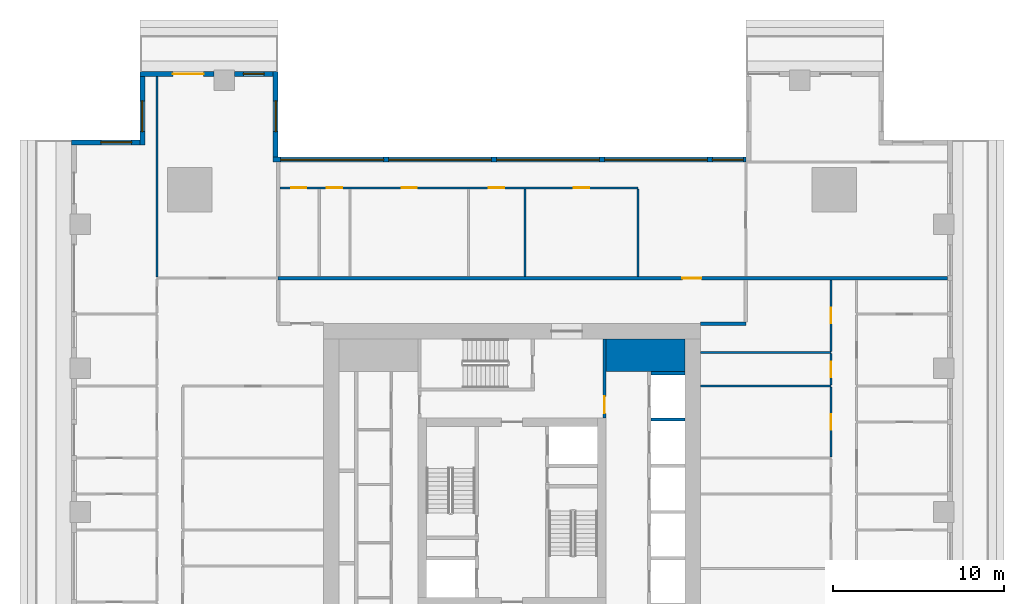
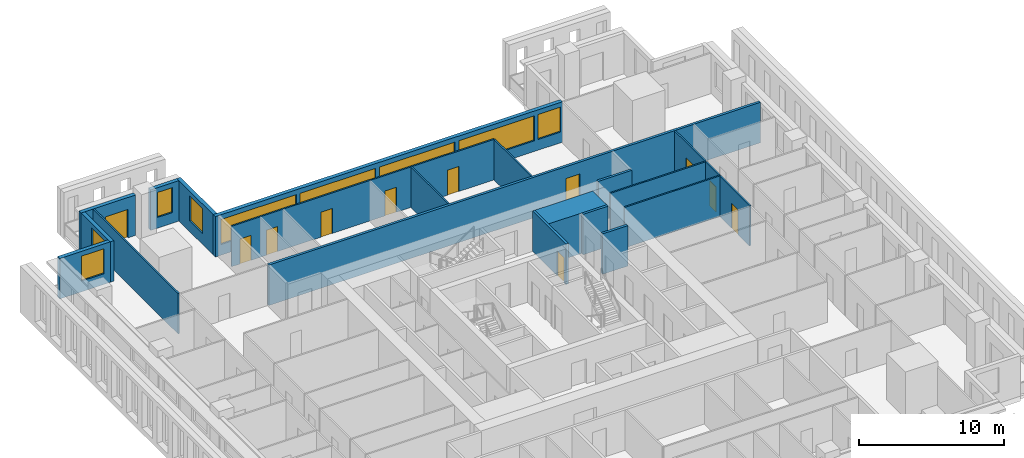
# One storey, part 8 of 16: 21 walls, 11 doors, 9 windows, 20 openings.
"""IFC4 building model written with IfcOpenShell, lengths in metres."""

from ifc_helpers import new_model, si_unit, direction, frame, frame_2d, origin, place, context, subcontext, project, spatial, rectangle, extrude, material, layer, layer_set, type_object, element, fill, save


model = new_model("IFC4")

# Units and contexts
model_context = context("Model", 3, precision=1e-05, world=origin(), true_north=direction((0.0, 1.0)))
body_context = subcontext(model_context, "Body", "Model", "MODEL_VIEW")
ifc_project = project(units=[si_unit("LENGTHUNIT", "METRE"), si_unit("AREAUNIT", "SQUARE_METRE"), si_unit("VOLUMEUNIT", "CUBIC_METRE"), si_unit("PLANEANGLEUNIT", "RADIAN"), si_unit("MASSUNIT", "GRAM", prefix="KILO")], contexts=[model_context])

# Site, building, storey
site_placement = place(None, origin())
site = spatial("IfcSite", under=ifc_project, at=site_placement, CompositionType="ELEMENT")
building_placement = place(site_placement, origin())
building = spatial("IfcBuilding", under=site, at=building_placement, Name="Khepri Terraces", CompositionType="ELEMENT")
storey_placement = place(building_placement, frame((0.0, 0.0, 176.699951171875)))
storey = spatial("IfcBuildingStorey", under=building, at=storey_placement, Name="L42", CompositionType="ELEMENT", Elevation=176.699951171875)

# Walls
ifc_material_1 = material(Name="Concrete C60/75", Category="concrete")
ifc_layer_1 = layer(ifc_material_1, 1.89990234375, Name="Concrete C60/75", Category="concrete")
ifc_layer_set_1 = layer_set([ifc_layer_1], Name="Concrete C60/75")
wall_type_1 = type_object("IfcWallType", Name="Core wall 1900 C60/75", PredefinedType="SHEAR", material=ifc_layer_set_1)
wall_1_placement = place(storey_placement, frame((5.5, 9.14990234375, 0.0), z_axis=(0.0, 0.0, 1.0), x_axis=(1.0, 0.0, 0.0)))
element("IfcWall", 1, at=wall_1_placement, inside=storey, type_object=wall_type_1, Name="Core wall PR04 L42", PredefinedType="SHEAR", context=body_context, shape_type="SweptSolid", body=[
    extrude(rectangle(XDim=4.60009765625, YDim=1.89990234375, at=frame_2d((2.300048828125, 0.0))), origin(), (0.0, 0.0, 1.0), 3.400146484375),
])
ifc_layer_2 = layer(ifc_material_1, 0.199951171875, Name="Concrete C60/75", Category="concrete")
ifc_layer_set_2 = layer_set([ifc_layer_2], Name="Concrete C60/75")
wall_type_2 = type_object("IfcWallType", Name="Core wall 200 C60/75", PredefinedType="SHEAR", material=ifc_layer_set_2)
for number, where, z_axis, x_axis, name in (
    (2, (8.10009765625, 5.39990234375, 0.0), (0.0, 0.0, 1.0), (1.0, 0.0, 0.0), "Core wall SH14 L42"),
    (3, (8.10009765625, 8.10009765625, 0.0), (0.0, 0.0, 1.0), (1.0, 0.0, 0.0), "Core wall SH15 L42"),
):
    element("IfcWall", number, at=place(storey_placement, frame(where, z_axis=z_axis, x_axis=x_axis)), inside=storey, type_object=wall_type_2, Name=name, PredefinedType="SHEAR", context=body_context, shape_type="SweptSolid", body=[
        extrude(rectangle(XDim=2.0, YDim=0.199951171875, at=frame_2d((1.0, 0.0))), origin(), (0.0, 0.0, 1.0), 3.400146484375),
    ])

# Wall, opening, door
ifc_material_2 = material(Name="Fire-rated gypsum board partition")
ifc_layer_3 = layer(ifc_material_2, 0.199951171875, Name="Fire-rated gypsum board partition")
ifc_layer_set_3 = layer_set([ifc_layer_3], Name="Fire-rated gypsum board partition")
wall_type_3 = type_object("IfcWallType", Name="WL-CORE-PART-200", PredefinedType="PARTITIONING", material=ifc_layer_set_3)
wall_2_placement = place(storey_placement, frame((5.39990234375, 5.5, 0.0), z_axis=(0.0, 0.0, 1.0), x_axis=(0.0, 1.0, 0.0)))
wall_2 = element("IfcWall", 4, at=wall_2_placement, inside=storey, type_object=wall_type_3, Name="Core partition PT13 L42", PredefinedType="PARTITIONING", context=body_context, shape_type="SweptSolid", body=[
    extrude(rectangle(XDim=4.60009765625, YDim=0.199951171875, at=frame_2d((2.300048828125, 0.0))), origin(), (0.0, 0.0, 1.0), 3.400146484375),
])
opening_1_placement = place(wall_2_placement, frame((0.25, 0.0, 0.0)))
opening_1 = element("IfcOpeningElement", 5, at=opening_1_placement, cuts=wall_2, Name="Opening L42-C17", PredefinedType="OPENING", context=body_context, shape_type="SweptSolid", body=[
    extrude(rectangle(XDim=1.0, YDim=2.10009765625, at=frame_2d((0.5, 1.050048828125))), frame((0.0, 0.10986328125, 0.0), z_axis=(0.0, -1.0, 0.0), x_axis=(1.0, 0.0, 0.0)), (0.0, 0.0, 1.0), 0.219970703125),
])
ifc_material_3 = material(Name="Painted steel", Category="steel")
door_type_1 = type_object("IfcDoorType", Name="DR-CORE-LOBBY-1000", OperationType="NOTDEFINED", PredefinedType="DOOR", material=ifc_material_3)
door_1_placement = place(opening_1_placement, origin())
door_1 = element("IfcDoor", 6, at=door_1_placement, inside=storey, type_object=door_type_1, Name="Lobby door L42-C17", OperationType="SINGLE_SWING_LEFT", OverallHeight=2.10009765625, OverallWidth=1.0, PredefinedType="DOOR", context=body_context, shape_type="SweptSolid", body=[
    extrude(rectangle(XDim=1.0, YDim=2.10009765625, at=frame_2d((0.5, 1.050048828125))), frame((0.0, 0.02490234375, 0.0), z_axis=(0.0, -1.0, 0.0), x_axis=(1.0, 0.0, 0.0)), (0.0, 0.0, 1.0), 0.050048828125),
])
fill(opening_1, door_1)

# Wall
ifc_material_4 = material(Name="Fire-rated gypsum plasterboard partition, mineral wool")
ifc_layer_4 = layer(ifc_material_4, 0.199951171875, Name="Fire-rated gypsum plasterboard partition, mineral wool")
ifc_layer_set_4 = layer_set([ifc_layer_4], Name="Fire-rated gypsum plasterboard partition, mineral wool")
wall_type_4 = type_object("IfcWallType", Name="WL-CORR-200", PredefinedType="PARTITIONING", material=ifc_layer_set_4)
wall_3_placement = place(storey_placement, frame((11.0, 11.0, 0.0), z_axis=(0.0, 0.0, 1.0), x_axis=(1.0, 0.0, 0.0)))
element("IfcWall", 7, at=wall_3_placement, inside=storey, type_object=wall_type_4, Name="Partition P-084 L42", PredefinedType="PARTITIONING", context=body_context, shape_type="SweptSolid", body=[
    extrude(rectangle(XDim=2.64990234375, YDim=0.199951171875, at=frame_2d((1.324951171875, 0.0))), origin(), (0.0, 0.0, 1.0), 3.400146484375),
])

# Wall, opening, door
wall_4_placement = place(storey_placement, frame((-13.64990234375, 13.64990234375, 0.0), z_axis=(0.0, 0.0, 1.0), x_axis=(1.0, 0.0, 0.0)))
wall_4 = element("IfcWall", 8, at=wall_4_placement, inside=storey, type_object=wall_type_4, Name="Partition P-092 L42", PredefinedType="PARTITIONING", context=body_context, shape_type="SweptSolid", body=[
    extrude(rectangle(XDim=39.06982421875, YDim=0.199951171875, at=frame_2d((19.534912109375, 0.0))), origin(), (0.0, 0.0, 1.0), 3.400146484375),
])
opening_2_placement = place(wall_4_placement, frame((23.60009765625, 0.0, 0.0)))
opening_2 = element("IfcOpeningElement", 9, at=opening_2_placement, cuts=wall_4, Name="Opening D1", PredefinedType="OPENING", context=body_context, shape_type="SweptSolid", body=[
    extrude(rectangle(XDim=1.10009765625, YDim=2.39990234375, at=frame_2d((0.550048828125, 1.199951171875))), frame((0.0, 0.10986328125, 0.0), z_axis=(0.0, -1.0, 0.0), x_axis=(1.0, 0.0, 0.0)), (0.0, 0.0, 1.0), 0.219970703125),
])
ifc_material_5 = material(Name="Solid-core timber door leaf, flat entrance door", Category="wood")
door_type_2 = type_object("IfcDoorType", Name="DR-ENT-1100", OperationType="NOTDEFINED", PredefinedType="DOOR", material=ifc_material_5)
door_2_placement = place(opening_2_placement, origin())
door_2 = element("IfcDoor", 10, at=door_2_placement, inside=storey, type_object=door_type_2, Name="Flat C1 entrance door", OperationType="SINGLE_SWING_RIGHT", OverallHeight=2.39990234375, OverallWidth=1.10009765625, PredefinedType="DOOR", context=body_context, shape_type="SweptSolid", body=[
    extrude(rectangle(XDim=1.10009765625, YDim=2.39990234375, at=frame_2d((0.550048828125, 1.199951171875))), frame((0.0, 0.02490234375, 0.0), z_axis=(0.0, -1.0, 0.0), x_axis=(1.0, 0.0, 0.0)), (0.0, 0.0, 1.0), 0.050048828125),
])
fill(opening_2, door_2)

# Wall, openings, windows
ifc_material_6 = material(Name="Precast concrete C50/60 warm stone", Category="masonry")
ifc_layer_5 = layer(ifc_material_6, 0.300048828125, Name="Precast concrete C50/60 warm stone", Category="masonry")
ifc_layer_set_5 = layer_set([ifc_layer_5], Name="Precast concrete C50/60 warm stone")
wall_type_5 = type_object("IfcWallType", Name="WL-EXT-PRECAST-300", PredefinedType="STANDARD", material=ifc_layer_set_5)
wall_5_placement = place(storey_placement, frame((13.64990234375, 20.570068359375, 0.0), z_axis=(0.0, 0.0, 1.0), x_axis=(-1.0, 0.0, 0.0)))
wall_5 = element("IfcWall", 11, at=wall_5_placement, inside=storey, type_object=wall_type_5, Name="External wall L42 N", PredefinedType="STANDARD", context=body_context, shape_type="SweptSolid", body=[
    extrude(rectangle(XDim=27.599853515625, YDim=0.300048828125, at=frame_2d((13.7998046875, 0.0))), origin(), (0.0, 0.0, 1.0), 3.400146484375),
])
opening_3_placement = place(wall_5_placement, frame((0.14990234375, 0.0, 0.89990234375)))
opening_3 = element("IfcOpeningElement", 12, at=opening_3_placement, cuts=wall_5, Name="Opening W1", PredefinedType="OPENING", context=body_context, shape_type="SweptSolid", body=[
    extrude(rectangle(XDim=1.800048828125, YDim=2.10009765625, at=frame_2d((0.89990234375, 1.050048828125))), frame((0.0, 0.16015625, 0.0), z_axis=(0.0, -1.0, 0.0), x_axis=(1.0, 0.0, 0.0)), (0.0, 0.0, 1.0), 0.320068359375),
])
opening_4_placement = place(wall_5_placement, frame((2.25, 0.0, 0.89990234375)))
opening_4 = element("IfcOpeningElement", 13, at=opening_4_placement, cuts=wall_5, Name="Opening W3", PredefinedType="OPENING", context=body_context, shape_type="SweptSolid", body=[
    extrude(rectangle(XDim=6.0, YDim=2.10009765625, at=frame_2d((3.0, 1.050048828125))), frame((0.0, 0.16015625, 0.0), z_axis=(0.0, -1.0, 0.0), x_axis=(1.0, 0.0, 0.0)), (0.0, 0.0, 1.0), 0.320068359375),
])
opening_5_placement = place(wall_5_placement, frame((8.550048828125, 0.0, 0.89990234375)))
opening_5 = element("IfcOpeningElement", 14, at=opening_5_placement, cuts=wall_5, Name="Opening W3", PredefinedType="OPENING", context=body_context, shape_type="SweptSolid", body=[
    extrude(rectangle(XDim=6.0, YDim=2.10009765625, at=frame_2d((3.0, 1.050048828125))), frame((0.0, 0.16015625, 0.0), z_axis=(0.0, -1.0, 0.0), x_axis=(1.0, 0.0, 0.0)), (0.0, 0.0, 1.0), 0.320068359375),
])
opening_6_placement = place(wall_5_placement, frame((14.85009765625, 0.0, 0.89990234375)))
opening_6 = element("IfcOpeningElement", 15, at=opening_6_placement, cuts=wall_5, Name="Opening W3", PredefinedType="OPENING", context=body_context, shape_type="SweptSolid", body=[
    extrude(rectangle(XDim=6.0, YDim=2.10009765625, at=frame_2d((3.0, 1.050048828125))), frame((0.0, 0.16015625, 0.0), z_axis=(0.0, -1.0, 0.0), x_axis=(1.0, 0.0, 0.0)), (0.0, 0.0, 1.0), 0.320068359375),
])
opening_7_placement = place(wall_5_placement, frame((21.14990234375, 0.0, 0.89990234375)))
opening_7 = element("IfcOpeningElement", 16, at=opening_7_placement, cuts=wall_5, Name="Opening W3", PredefinedType="OPENING", context=body_context, shape_type="SweptSolid", body=[
    extrude(rectangle(XDim=6.0, YDim=2.10009765625, at=frame_2d((3.0, 1.050048828125))), frame((0.0, 0.16015625, 0.0), z_axis=(0.0, -1.0, 0.0), x_axis=(1.0, 0.0, 0.0)), (0.0, 0.0, 1.0), 0.320068359375),
])
ifc_material_7 = material(Name="Clear glass", Category="glass")
window_type_1 = type_object("IfcWindowType", Name="WIN-RES-1800x2100", PartitioningType="SINGLE_PANEL", PredefinedType="WINDOW", material=ifc_material_7)
window_1_placement = place(opening_3_placement, origin())
window_1 = element("IfcWindow", 17, at=window_1_placement, inside=storey, type_object=window_type_1, Name="Window L42 N", OverallHeight=2.10009765625, OverallWidth=1.800048828125, PartitioningType="SINGLE_PANEL", PredefinedType="WINDOW", context=body_context, shape_type="SweptSolid", body=[
    extrude(rectangle(XDim=1.800048828125, YDim=2.10009765625, at=frame_2d((0.89990234375, 1.050048828125))), frame((0.0, 0.030029296875, 0.0), z_axis=(0.0, -1.0, 0.0), x_axis=(1.0, 0.0, 0.0)), (0.0, 0.0, 1.0), 0.06005859375),
])
fill(opening_3, window_1)
window_type_2 = type_object("IfcWindowType", Name="WIN-RES-6000x2100", PartitioningType="SINGLE_PANEL", PredefinedType="WINDOW", material=ifc_material_7)
window_2_placement = place(opening_4_placement, origin())
window_2 = element("IfcWindow", 18, at=window_2_placement, inside=storey, type_object=window_type_2, Name="Window L42 N", OverallHeight=2.10009765625, OverallWidth=6.0, PartitioningType="SINGLE_PANEL", PredefinedType="WINDOW", context=body_context, shape_type="SweptSolid", body=[
    extrude(rectangle(XDim=6.0, YDim=2.10009765625, at=frame_2d((3.0, 1.050048828125))), frame((0.0, 0.030029296875, 0.0), z_axis=(0.0, -1.0, 0.0), x_axis=(1.0, 0.0, 0.0)), (0.0, 0.0, 1.0), 0.06005859375),
])
fill(opening_4, window_2)
window_3_placement = place(opening_5_placement, origin())
window_3 = element("IfcWindow", 19, at=window_3_placement, inside=storey, type_object=window_type_2, Name="Window L42 N", OverallHeight=2.10009765625, OverallWidth=6.0, PartitioningType="SINGLE_PANEL", PredefinedType="WINDOW", context=body_context, shape_type="SweptSolid", body=[
    extrude(rectangle(XDim=6.0, YDim=2.10009765625, at=frame_2d((3.0, 1.050048828125))), frame((0.0, 0.030029296875, 0.0), z_axis=(0.0, -1.0, 0.0), x_axis=(1.0, 0.0, 0.0)), (0.0, 0.0, 1.0), 0.06005859375),
])
fill(opening_5, window_3)
window_4_placement = place(opening_6_placement, origin())
window_4 = element("IfcWindow", 20, at=window_4_placement, inside=storey, type_object=window_type_2, Name="Window L42 N", OverallHeight=2.10009765625, OverallWidth=6.0, PartitioningType="SINGLE_PANEL", PredefinedType="WINDOW", context=body_context, shape_type="SweptSolid", body=[
    extrude(rectangle(XDim=6.0, YDim=2.10009765625, at=frame_2d((3.0, 1.050048828125))), frame((0.0, 0.030029296875, 0.0), z_axis=(0.0, -1.0, 0.0), x_axis=(1.0, 0.0, 0.0)), (0.0, 0.0, 1.0), 0.06005859375),
])
fill(opening_6, window_4)
window_5_placement = place(opening_7_placement, origin())
window_5 = element("IfcWindow", 21, at=window_5_placement, inside=storey, type_object=window_type_2, Name="Window L42 N", OverallHeight=2.10009765625, OverallWidth=6.0, PartitioningType="SINGLE_PANEL", PredefinedType="WINDOW", context=body_context, shape_type="SweptSolid", body=[
    extrude(rectangle(XDim=6.0, YDim=2.10009765625, at=frame_2d((3.0, 1.050048828125))), frame((0.0, 0.030029296875, 0.0), z_axis=(0.0, -1.0, 0.0), x_axis=(1.0, 0.0, 0.0)), (0.0, 0.0, 1.0), 0.06005859375),
])
fill(opening_7, window_5)

# Wall, opening, window
wall_6_placement = place(storey_placement, frame((-13.800048828125, 20.719970703125, 0.0), z_axis=(0.0, 0.0, 1.0), x_axis=(0.0, 1.0, 0.0)))
wall_6 = element("IfcWall", 22, at=wall_6_placement, inside=storey, type_object=wall_type_5, Name="External wall L42 E", PredefinedType="STANDARD", context=body_context, shape_type="SweptSolid", body=[
    extrude(rectangle(XDim=5.0, YDim=0.300048828125, at=frame_2d((2.5, 0.0))), origin(), (0.0, 0.0, 1.0), 3.400146484375),
])
opening_8_placement = place(wall_6_placement, frame((1.47998046875, 0.0, 0.89990234375)))
opening_8 = element("IfcOpeningElement", 23, at=opening_8_placement, cuts=wall_6, Name="Opening W1", PredefinedType="OPENING", context=body_context, shape_type="SweptSolid", body=[
    extrude(rectangle(XDim=1.800048828125, YDim=2.10009765625, at=frame_2d((0.89990234375, 1.050048828125))), frame((0.0, 0.16015625, 0.0), z_axis=(0.0, -1.0, 0.0), x_axis=(1.0, 0.0, 0.0)), (0.0, 0.0, 1.0), 0.320068359375),
])
window_6_placement = place(opening_8_placement, origin())
window_6 = element("IfcWindow", 24, at=window_6_placement, inside=storey, type_object=window_type_1, Name="Window L42 E", OverallHeight=2.10009765625, OverallWidth=1.800048828125, PartitioningType="SINGLE_PANEL", PredefinedType="WINDOW", context=body_context, shape_type="SweptSolid", body=[
    extrude(rectangle(XDim=1.800048828125, YDim=2.10009765625, at=frame_2d((0.89990234375, 1.050048828125))), frame((0.0, 0.030029296875, 0.0), z_axis=(0.0, -1.0, 0.0), x_axis=(1.0, 0.0, 0.0)), (0.0, 0.0, 1.0), 0.06005859375),
])
fill(opening_8, window_6)

wall_7_placement = place(storey_placement, frame((-13.949951171875, 25.570068359375, 0.0), z_axis=(0.0, 0.0, 1.0), x_axis=(-1.0, 0.0, 0.0)))
wall_7 = element("IfcWall", 25, at=wall_7_placement, inside=storey, type_object=wall_type_5, Name="External wall L42 N", PredefinedType="STANDARD", context=body_context, shape_type="SweptSolid", body=[
    extrude(rectangle(XDim=2.25, YDim=0.300048828125, at=frame_2d((1.125, 0.0))), origin(), (0.0, 0.0, 1.0), 3.400146484375),
])
opening_9_placement = place(wall_7_placement, frame((0.52490234375, 0.0, 0.89990234375)))
opening_9 = element("IfcOpeningElement", 26, at=opening_9_placement, cuts=wall_7, Name="Opening W4", PredefinedType="OPENING", context=body_context, shape_type="SweptSolid", body=[
    extrude(rectangle(XDim=1.199951171875, YDim=2.10009765625, at=frame_2d((0.60009765625, 1.050048828125))), frame((0.0, 0.16015625, 0.0), z_axis=(0.0, -1.0, 0.0), x_axis=(1.0, 0.0, 0.0)), (0.0, 0.0, 1.0), 0.320068359375),
])
window_type_3 = type_object("IfcWindowType", Name="WIN-RES-1200x2100", PartitioningType="SINGLE_PANEL", PredefinedType="WINDOW", material=ifc_material_7)
window_7_placement = place(opening_9_placement, origin())
window_7 = element("IfcWindow", 27, at=window_7_placement, inside=storey, type_object=window_type_3, Name="Window L42 N", OverallHeight=2.10009765625, OverallWidth=1.199951171875, PartitioningType="SINGLE_PANEL", PredefinedType="WINDOW", context=body_context, shape_type="SweptSolid", body=[
    extrude(rectangle(XDim=1.199951171875, YDim=2.10009765625, at=frame_2d((0.60009765625, 1.050048828125))), frame((0.0, 0.030029296875, 0.0), z_axis=(0.0, -1.0, 0.0), x_axis=(1.0, 0.0, 0.0)), (0.0, 0.0, 1.0), 0.06005859375),
])
fill(opening_9, window_7)

# Wall, opening, door
wall_8_placement = place(storey_placement, frame((-17.39990234375, 25.570068359375, 0.0), z_axis=(0.0, 0.0, 1.0), x_axis=(-1.0, 0.0, 0.0)))
wall_8 = element("IfcWall", 28, at=wall_8_placement, inside=storey, type_object=wall_type_5, Name="External wall L42 N", PredefinedType="STANDARD", context=body_context, shape_type="SweptSolid", body=[
    extrude(rectangle(XDim=4.320068359375, YDim=0.300048828125, at=frame_2d((2.16015625, 0.0))), origin(), (0.0, 0.0, 1.0), 3.400146484375),
])
opening_10_placement = place(wall_8_placement, frame((0.60009765625, 0.0, 0.0)))
opening_10 = element("IfcOpeningElement", 29, at=opening_10_placement, cuts=wall_8, Name="Opening ED-L42-06", PredefinedType="OPENING", context=body_context, shape_type="SweptSolid", body=[
    extrude(rectangle(XDim=1.800048828125, YDim=2.39990234375, at=frame_2d((0.89990234375, 1.199951171875))), frame((0.0, 0.16015625, 0.0), z_axis=(0.0, -1.0, 0.0), x_axis=(1.0, 0.0, 0.0)), (0.0, 0.0, 1.0), 0.320068359375),
])
ifc_material_8 = material(Name="Anodised aluminium bronze glazed door", Category="aluminium")
door_type_3 = type_object("IfcDoorType", Name="DR-BAL-SLIDE-1800x2400", OperationType="NOTDEFINED", PredefinedType="DOOR", material=ifc_material_8)
door_3_placement = place(opening_10_placement, origin())
door_3 = element("IfcDoor", 30, at=door_3_placement, inside=storey, type_object=door_type_3, Name="Balcony door L42 N", OperationType="SLIDING_TO_LEFT", OverallHeight=2.39990234375, OverallWidth=1.800048828125, PredefinedType="DOOR", context=body_context, shape_type="SweptSolid", body=[
    extrude(rectangle(XDim=1.800048828125, YDim=2.39990234375, at=frame_2d((0.89990234375, 1.199951171875))), frame((0.0, 0.02490234375, 0.0), z_axis=(0.0, -1.0, 0.0), x_axis=(1.0, 0.0, 0.0)), (0.0, 0.0, 1.0), 0.050048828125),
])
fill(opening_10, door_3)

# Wall, opening, window
wall_9_placement = place(storey_placement, frame((-21.570068359375, 25.419921875, 0.0), z_axis=(0.0, 0.0, 1.0), x_axis=(0.0, -1.0, 0.0)))
wall_9 = element("IfcWall", 31, at=wall_9_placement, inside=storey, type_object=wall_type_5, Name="External wall L42 W", PredefinedType="STANDARD", context=body_context, shape_type="SweptSolid", body=[
    extrude(rectangle(XDim=4.0, YDim=0.300048828125, at=frame_2d((2.0, 0.0))), origin(), (0.0, 0.0, 1.0), 3.400146484375),
])
opening_11_placement = place(wall_9_placement, frame((1.419921875, 0.0, 0.89990234375)))
opening_11 = element("IfcOpeningElement", 32, at=opening_11_placement, cuts=wall_9, Name="Opening W1", PredefinedType="OPENING", context=body_context, shape_type="SweptSolid", body=[
    extrude(rectangle(XDim=1.800048828125, YDim=2.10009765625, at=frame_2d((0.89990234375, 1.050048828125))), frame((0.0, 0.16015625, 0.0), z_axis=(0.0, -1.0, 0.0), x_axis=(1.0, 0.0, 0.0)), (0.0, 0.0, 1.0), 0.320068359375),
])
window_8_placement = place(opening_11_placement, origin())
window_8 = element("IfcWindow", 33, at=window_8_placement, inside=storey, type_object=window_type_1, Name="Window L42 W", OverallHeight=2.10009765625, OverallWidth=1.800048828125, PartitioningType="SINGLE_PANEL", PredefinedType="WINDOW", context=body_context, shape_type="SweptSolid", body=[
    extrude(rectangle(XDim=1.800048828125, YDim=2.10009765625, at=frame_2d((0.89990234375, 1.050048828125))), frame((0.0, 0.030029296875, 0.0), z_axis=(0.0, -1.0, 0.0), x_axis=(1.0, 0.0, 0.0)), (0.0, 0.0, 1.0), 0.06005859375),
])
fill(opening_11, window_8)

wall_10_placement = place(storey_placement, frame((-21.719970703125, 21.570068359375, 0.0), z_axis=(0.0, 0.0, 1.0), x_axis=(-1.0, 0.0, 0.0)))
wall_10 = element("IfcWall", 34, at=wall_10_placement, inside=storey, type_object=wall_type_5, Name="External wall L42 N", PredefinedType="STANDARD", context=body_context, shape_type="SweptSolid", body=[
    extrude(rectangle(XDim=4.0, YDim=0.300048828125, at=frame_2d((2.0, 0.0))), origin(), (0.0, 0.0, 1.0), 3.400146484375),
])
opening_12_placement = place(wall_10_placement, frame((0.47998046875, 0.0, 0.89990234375)))
opening_12 = element("IfcOpeningElement", 35, at=opening_12_placement, cuts=wall_10, Name="Opening W1", PredefinedType="OPENING", context=body_context, shape_type="SweptSolid", body=[
    extrude(rectangle(XDim=1.800048828125, YDim=2.10009765625, at=frame_2d((0.89990234375, 1.050048828125))), frame((0.0, 0.16015625, 0.0), z_axis=(0.0, -1.0, 0.0), x_axis=(1.0, 0.0, 0.0)), (0.0, 0.0, 1.0), 0.320068359375),
])
window_9_placement = place(opening_12_placement, origin())
window_9 = element("IfcWindow", 36, at=window_9_placement, inside=storey, type_object=window_type_1, Name="Window L42 N", OverallHeight=2.10009765625, OverallWidth=1.800048828125, PartitioningType="SINGLE_PANEL", PredefinedType="WINDOW", context=body_context, shape_type="SweptSolid", body=[
    extrude(rectangle(XDim=1.800048828125, YDim=2.10009765625, at=frame_2d((0.89990234375, 1.050048828125))), frame((0.0, 0.030029296875, 0.0), z_axis=(0.0, -1.0, 0.0), x_axis=(1.0, 0.0, 0.0)), (0.0, 0.0, 1.0), 0.06005859375),
])
fill(opening_12, window_9)

# Wall, opening, door
ifc_material_9 = material(Name="Gypsum plasterboard partition")
ifc_layer_6 = layer(ifc_material_9, 0.1201171875, Name="Gypsum plasterboard partition")
ifc_layer_set_6 = layer_set([ifc_layer_6], Name="Gypsum plasterboard partition")
wall_type_6 = type_object("IfcWallType", Name="WL-PART-120", PredefinedType="PARTITIONING", material=ifc_layer_set_6)
wall_11_placement = place(storey_placement, frame((18.6201171875, 3.2099609375, 0.0), z_axis=(0.0, 0.0, 1.0), x_axis=(0.0, 1.0, 0.0)))
wall_11 = element("IfcWall", 37, at=wall_11_placement, inside=storey, type_object=wall_type_6, Name="Partition P-071 L42", PredefinedType="PARTITIONING", context=body_context, shape_type="SweptSolid", body=[
    extrude(rectangle(XDim=4.080078125, YDim=0.1201171875, at=frame_2d((2.0400390625, 0.0))), origin(), (0.0, 0.0, 1.0), 3.400146484375),
])
opening_13_placement = place(wall_11_placement, frame((1.590087890625, 0.0, 0.0)))
opening_13 = element("IfcOpeningElement", 38, at=opening_13_placement, cuts=wall_11, Name="Opening D3", PredefinedType="OPENING", context=body_context, shape_type="SweptSolid", body=[
    extrude(rectangle(XDim=0.89990234375, YDim=2.10009765625, at=frame_2d((0.449951171875, 1.050048828125))), frame((0.0, 0.070068359375, 0.0), z_axis=(0.0, -1.0, 0.0), x_axis=(1.0, 0.0, 0.0)), (0.0, 0.0, 1.0), 0.14013671875),
])
ifc_material_10 = material(Name="Timber door leaf", Category="wood")
door_type_4 = type_object("IfcDoorType", Name="DR-INT-900", OperationType="NOTDEFINED", PredefinedType="DOOR", material=ifc_material_10)
door_4_placement = place(opening_13_placement, origin())
door_4 = element("IfcDoor", 39, at=door_4_placement, inside=storey, type_object=door_type_4, Name="Door Utility Room", OperationType="SINGLE_SWING_RIGHT", OverallHeight=2.10009765625, OverallWidth=0.89990234375, PredefinedType="DOOR", context=body_context, shape_type="SweptSolid", body=[
    extrude(rectangle(XDim=0.89990234375, YDim=2.10009765625, at=frame_2d((0.449951171875, 1.050048828125))), frame((0.0, 0.02490234375, 0.0), z_axis=(0.0, -1.0, 0.0), x_axis=(1.0, 0.0, 0.0)), (0.0, 0.0, 1.0), 0.050048828125),
])
fill(opening_13, door_4)

# Wall
wall_12_placement = place(storey_placement, frame((11.0, 7.35009765625, 0.0), z_axis=(0.0, 0.0, 1.0), x_axis=(1.0, 0.0, 0.0)))
element("IfcWall", 40, at=wall_12_placement, inside=storey, type_object=wall_type_6, Name="Partition P-076 L42", PredefinedType="PARTITIONING", context=body_context, shape_type="SweptSolid", body=[
    extrude(rectangle(XDim=7.6201171875, YDim=0.1201171875, at=frame_2d((3.81005859375, 0.0))), origin(), (0.0, 0.0, 1.0), 3.400146484375),
])

# Wall, opening, door
wall_13_placement = place(storey_placement, frame((18.6201171875, 7.409912109375, 0.0), z_axis=(0.0, 0.0, 1.0), x_axis=(0.0, 1.0, 0.0)))
wall_13 = element("IfcWall", 41, at=wall_13_placement, inside=storey, type_object=wall_type_6, Name="Partition P-079 L42", PredefinedType="PARTITIONING", context=body_context, shape_type="SweptSolid", body=[
    extrude(rectangle(XDim=1.830078125, YDim=0.1201171875, at=frame_2d((0.9150390625, 0.0))), origin(), (0.0, 0.0, 1.0), 3.400146484375),
])
opening_14_placement = place(wall_13_placement, frame((0.465087890625, 0.0, 0.0)))
opening_14 = element("IfcOpeningElement", 42, at=opening_14_placement, cuts=wall_13, Name="Opening D4", PredefinedType="OPENING", context=body_context, shape_type="SweptSolid", body=[
    extrude(rectangle(XDim=0.89990234375, YDim=2.10009765625, at=frame_2d((0.449951171875, 1.050048828125))), frame((0.0, 0.070068359375, 0.0), z_axis=(0.0, -1.0, 0.0), x_axis=(1.0, 0.0, 0.0)), (0.0, 0.0, 1.0), 0.14013671875),
])
ifc_material_11 = material(Name="Timber door leaf, moisture resistant", Category="wood")
door_type_5 = type_object("IfcDoorType", Name="DR-WET-900", OperationType="NOTDEFINED", PredefinedType="DOOR", material=ifc_material_11)
door_5_placement = place(opening_14_placement, origin())
door_5 = element("IfcDoor", 43, at=door_5_placement, inside=storey, type_object=door_type_5, Name="Door Guest Bathroom", OperationType="SINGLE_SWING_LEFT", OverallHeight=2.10009765625, OverallWidth=0.89990234375, PredefinedType="DOOR", context=body_context, shape_type="SweptSolid", body=[
    extrude(rectangle(XDim=0.89990234375, YDim=2.10009765625, at=frame_2d((0.449951171875, 1.050048828125))), frame((0.0, 0.02490234375, 0.0), z_axis=(0.0, -1.0, 0.0), x_axis=(1.0, 0.0, 0.0)), (0.0, 0.0, 1.0), 0.050048828125),
])
fill(opening_14, door_5)

# Wall
wall_14_placement = place(storey_placement, frame((11.0, 9.300048828125, 0.0), z_axis=(0.0, 0.0, 1.0), x_axis=(1.0, 0.0, 0.0)))
element("IfcWall", 44, at=wall_14_placement, inside=storey, type_object=wall_type_6, Name="Partition P-081 L42", PredefinedType="PARTITIONING", context=body_context, shape_type="SweptSolid", body=[
    extrude(rectangle(XDim=7.6201171875, YDim=0.1201171875, at=frame_2d((3.81005859375, 0.0))), origin(), (0.0, 0.0, 1.0), 3.400146484375),
])

# Wall, opening, door
wall_15_placement = place(storey_placement, frame((18.6201171875, 9.360107421875, 0.0), z_axis=(0.0, 0.0, 1.0), x_axis=(0.0, 1.0, 0.0)))
wall_15 = element("IfcWall", 45, at=wall_15_placement, inside=storey, type_object=wall_type_6, Name="Partition P-082 L42", PredefinedType="PARTITIONING", context=body_context, shape_type="SweptSolid", body=[
    extrude(rectangle(XDim=4.18994140625, YDim=0.1201171875, at=frame_2d((2.094970703125, 0.0))), origin(), (0.0, 0.0, 1.0), 3.400146484375),
])
opening_15_placement = place(wall_15_placement, frame((1.6650390625, 0.0, 0.0)))
opening_15 = element("IfcOpeningElement", 46, at=opening_15_placement, cuts=wall_15, Name="Opening D3", PredefinedType="OPENING", context=body_context, shape_type="SweptSolid", body=[
    extrude(rectangle(XDim=0.89990234375, YDim=2.10009765625, at=frame_2d((0.449951171875, 1.050048828125))), frame((0.0, 0.070068359375, 0.0), z_axis=(0.0, -1.0, 0.0), x_axis=(1.0, 0.0, 0.0)), (0.0, 0.0, 1.0), 0.14013671875),
])
door_6_placement = place(opening_15_placement, origin())
door_6 = element("IfcDoor", 47, at=door_6_placement, inside=storey, type_object=door_type_4, Name="Door Library", OperationType="SINGLE_SWING_RIGHT", OverallHeight=2.10009765625, OverallWidth=0.89990234375, PredefinedType="DOOR", context=body_context, shape_type="SweptSolid", body=[
    extrude(rectangle(XDim=0.89990234375, YDim=2.10009765625, at=frame_2d((0.449951171875, 1.050048828125))), frame((0.0, 0.02490234375, 0.0), z_axis=(0.0, -1.0, 0.0), x_axis=(1.0, 0.0, 0.0)), (0.0, 0.0, 1.0), 0.050048828125),
])
fill(opening_15, door_6)

# Walls
wall_16_placement = place(storey_placement, frame((-20.719970703125, 13.7099609375, 0.0), z_axis=(0.0, 0.0, 1.0), x_axis=(0.0, 1.0, 0.0)))
element("IfcWall", 48, at=wall_16_placement, inside=storey, type_object=wall_type_6, Name="Partition P-093 L42", PredefinedType="PARTITIONING", context=body_context, shape_type="SweptSolid", body=[
    extrude(rectangle(XDim=11.7099609375, YDim=0.1201171875, at=frame_2d((5.85498046875, 0.0))), origin(), (0.0, 0.0, 1.0), 3.400146484375),
])
for number, where, z_axis, x_axis, name in (
    (49, (0.75, 13.75, 0.0), (0.0, 0.0, 1.0), (0.0, 1.0, 0.0), "Partition P-098 L42"),
    (50, (7.35009765625, 13.75, 0.0), (0.0, 0.0, 1.0), (0.0, 1.0, 0.0), "Partition P-099 L42"),
):
    element("IfcWall", number, at=place(storey_placement, frame(where, z_axis=z_axis, x_axis=x_axis)), inside=storey, type_object=wall_type_6, Name=name, PredefinedType="PARTITIONING", context=body_context, shape_type="SweptSolid", body=[
        extrude(rectangle(XDim=5.110107421875, YDim=0.1201171875, at=frame_2d((2.55517578125, 0.0))), origin(), (0.0, 0.0, 1.0), 3.400146484375),
    ])

# Wall, openings, doors
wall_17_placement = place(storey_placement, frame((-13.550048828125, 18.919921875, 0.0), z_axis=(0.0, 0.0, 1.0), x_axis=(1.0, 0.0, 0.0)))
wall_17 = element("IfcWall", 51, at=wall_17_placement, inside=storey, type_object=wall_type_6, Name="Partition P-101 L42", PredefinedType="PARTITIONING", context=body_context, shape_type="SweptSolid", body=[
    extrude(rectangle(XDim=20.900146484375, YDim=0.1201171875, at=frame_2d((10.4501953125, 0.0))), origin(), (0.0, 0.0, 1.0), 3.400146484375),
])
opening_16_placement = place(wall_17_placement, frame((17.14990234375, 0.0, 0.0)))
opening_16 = element("IfcOpeningElement", 52, at=opening_16_placement, cuts=wall_17, Name="Opening D3", PredefinedType="OPENING", context=body_context, shape_type="SweptSolid", body=[
    extrude(rectangle(XDim=0.89990234375, YDim=2.10009765625, at=frame_2d((0.449951171875, 1.050048828125))), frame((0.0, 0.070068359375, 0.0), z_axis=(0.0, -1.0, 0.0), x_axis=(1.0, 0.0, 0.0)), (0.0, 0.0, 1.0), 0.14013671875),
])
opening_17_placement = place(wall_17_placement, frame((12.199951171875, 0.0, 0.0)))
opening_17 = element("IfcOpeningElement", 53, at=opening_17_placement, cuts=wall_17, Name="Opening D3", PredefinedType="OPENING", context=body_context, shape_type="SweptSolid", body=[
    extrude(rectangle(XDim=0.89990234375, YDim=2.10009765625, at=frame_2d((0.449951171875, 1.050048828125))), frame((0.0, 0.070068359375, 0.0), z_axis=(0.0, -1.0, 0.0), x_axis=(1.0, 0.0, 0.0)), (0.0, 0.0, 1.0), 0.14013671875),
])
opening_18_placement = place(wall_17_placement, frame((7.10009765625, 0.0, 0.0)))
opening_18 = element("IfcOpeningElement", 54, at=opening_18_placement, cuts=wall_17, Name="Opening D3", PredefinedType="OPENING", context=body_context, shape_type="SweptSolid", body=[
    extrude(rectangle(XDim=0.89990234375, YDim=2.10009765625, at=frame_2d((0.449951171875, 1.050048828125))), frame((0.0, 0.070068359375, 0.0), z_axis=(0.0, -1.0, 0.0), x_axis=(1.0, 0.0, 0.0)), (0.0, 0.0, 1.0), 0.14013671875),
])
opening_19_placement = place(wall_17_placement, frame((2.75, 0.0, 0.0)))
opening_19 = element("IfcOpeningElement", 55, at=opening_19_placement, cuts=wall_17, Name="Opening D4", PredefinedType="OPENING", context=body_context, shape_type="SweptSolid", body=[
    extrude(rectangle(XDim=0.89990234375, YDim=2.10009765625, at=frame_2d((0.449951171875, 1.050048828125))), frame((0.0, 0.070068359375, 0.0), z_axis=(0.0, -1.0, 0.0), x_axis=(1.0, 0.0, 0.0)), (0.0, 0.0, 1.0), 0.14013671875),
])
opening_20_placement = place(wall_17_placement, frame((0.64990234375, 0.0, 0.0)))
opening_20 = element("IfcOpeningElement", 56, at=opening_20_placement, cuts=wall_17, Name="Opening D4", PredefinedType="OPENING", context=body_context, shape_type="SweptSolid", body=[
    extrude(rectangle(XDim=0.89990234375, YDim=2.10009765625, at=frame_2d((0.449951171875, 1.050048828125))), frame((0.0, 0.070068359375, 0.0), z_axis=(0.0, -1.0, 0.0), x_axis=(1.0, 0.0, 0.0)), (0.0, 0.0, 1.0), 0.14013671875),
])
door_7_placement = place(opening_16_placement, frame((0.89990234375, 0.0, 0.0), z_axis=(0.0, 0.0, 1.0), x_axis=(-1.0, 0.0, 0.0)))
door_7 = element("IfcDoor", 57, at=door_7_placement, inside=storey, type_object=door_type_4, Name="Door Kitchen", OperationType="SINGLE_SWING_LEFT", OverallHeight=2.10009765625, OverallWidth=0.89990234375, PredefinedType="DOOR", context=body_context, shape_type="SweptSolid", body=[
    extrude(rectangle(XDim=0.89990234375, YDim=2.10009765625, at=frame_2d((0.449951171875, 1.050048828125))), frame((0.0, 0.02490234375, 0.0), z_axis=(0.0, -1.0, 0.0), x_axis=(1.0, 0.0, 0.0)), (0.0, 0.0, 1.0), 0.050048828125),
])
fill(opening_16, door_7)
door_8_placement = place(opening_17_placement, frame((0.89990234375, 0.0, 0.0), z_axis=(0.0, 0.0, 1.0), x_axis=(-1.0, 0.0, 0.0)))
door_8 = element("IfcDoor", 58, at=door_8_placement, inside=storey, type_object=door_type_4, Name="Door Utility Room", OperationType="SINGLE_SWING_LEFT", OverallHeight=2.10009765625, OverallWidth=0.89990234375, PredefinedType="DOOR", context=body_context, shape_type="SweptSolid", body=[
    extrude(rectangle(XDim=0.89990234375, YDim=2.10009765625, at=frame_2d((0.449951171875, 1.050048828125))), frame((0.0, 0.02490234375, 0.0), z_axis=(0.0, -1.0, 0.0), x_axis=(1.0, 0.0, 0.0)), (0.0, 0.0, 1.0), 0.050048828125),
])
fill(opening_17, door_8)
door_9_placement = place(opening_18_placement, frame((0.89990234375, 0.0, 0.0), z_axis=(0.0, 0.0, 1.0), x_axis=(-1.0, 0.0, 0.0)))
door_9 = element("IfcDoor", 59, at=door_9_placement, inside=storey, type_object=door_type_4, Name="Door Staff Bedroom", OperationType="SINGLE_SWING_RIGHT", OverallHeight=2.10009765625, OverallWidth=0.89990234375, PredefinedType="DOOR", context=body_context, shape_type="SweptSolid", body=[
    extrude(rectangle(XDim=0.89990234375, YDim=2.10009765625, at=frame_2d((0.449951171875, 1.050048828125))), frame((0.0, 0.02490234375, 0.0), z_axis=(0.0, -1.0, 0.0), x_axis=(1.0, 0.0, 0.0)), (0.0, 0.0, 1.0), 0.050048828125),
])
fill(opening_18, door_9)
door_10_placement = place(opening_19_placement, frame((0.89990234375, 0.0, 0.0), z_axis=(0.0, 0.0, 1.0), x_axis=(-1.0, 0.0, 0.0)))
door_10 = element("IfcDoor", 60, at=door_10_placement, inside=storey, type_object=door_type_5, Name="Door Powder Room", OperationType="SINGLE_SWING_RIGHT", OverallHeight=2.10009765625, OverallWidth=0.89990234375, PredefinedType="DOOR", context=body_context, shape_type="SweptSolid", body=[
    extrude(rectangle(XDim=0.89990234375, YDim=2.10009765625, at=frame_2d((0.449951171875, 1.050048828125))), frame((0.0, 0.02490234375, 0.0), z_axis=(0.0, -1.0, 0.0), x_axis=(1.0, 0.0, 0.0)), (0.0, 0.0, 1.0), 0.050048828125),
])
fill(opening_19, door_10)
door_11_placement = place(opening_20_placement, frame((0.89990234375, 0.0, 0.0), z_axis=(0.0, 0.0, 1.0), x_axis=(-1.0, 0.0, 0.0)))
door_11 = element("IfcDoor", 61, at=door_11_placement, inside=storey, type_object=door_type_5, Name="Door Guest Bathroom", OperationType="SINGLE_SWING_RIGHT", OverallHeight=2.10009765625, OverallWidth=0.89990234375, PredefinedType="DOOR", context=body_context, shape_type="SweptSolid", body=[
    extrude(rectangle(XDim=0.89990234375, YDim=2.10009765625, at=frame_2d((0.449951171875, 1.050048828125))), frame((0.0, 0.02490234375, 0.0), z_axis=(0.0, -1.0, 0.0), x_axis=(1.0, 0.0, 0.0)), (0.0, 0.0, 1.0), 0.050048828125),
])
fill(opening_20, door_11)

save(model, "model.ifc")
